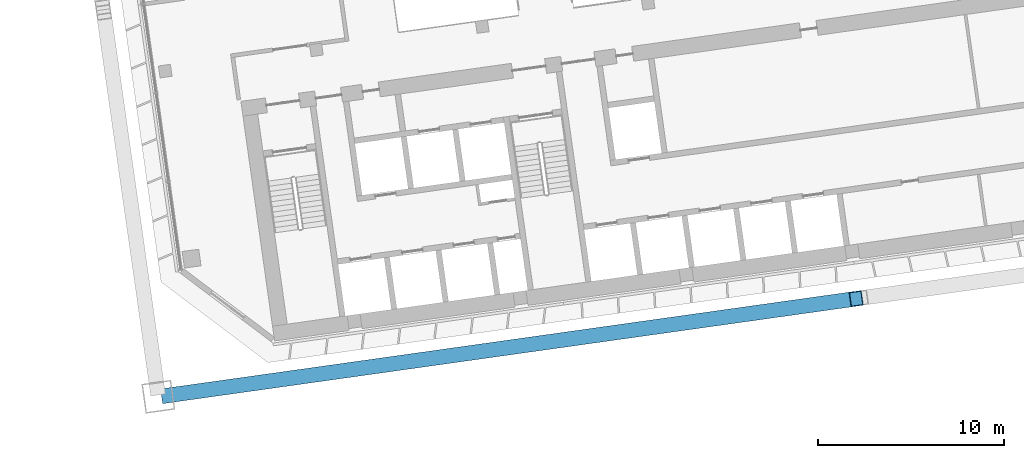
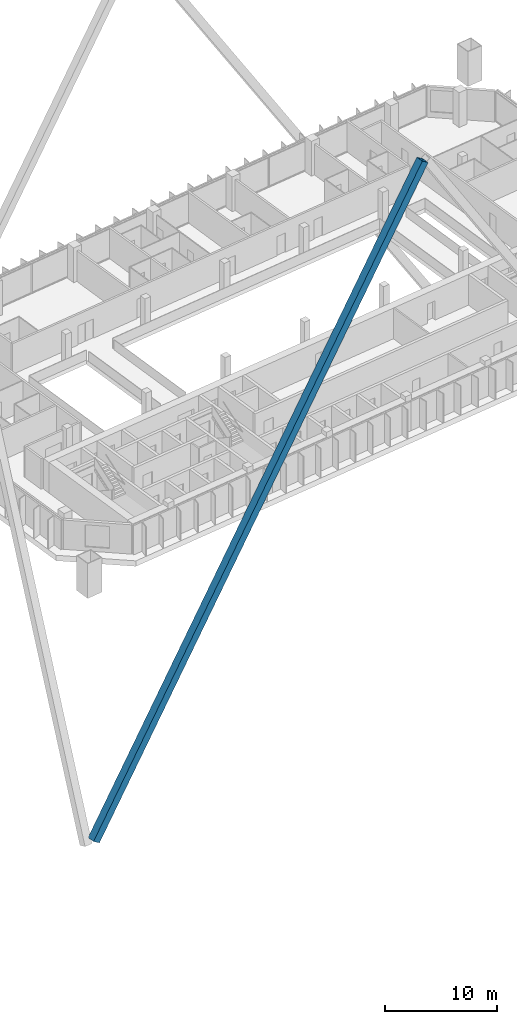
# One storey, part 18 of 41: 1 member.
"""IFC4 building model written with IfcOpenShell, lengths in metres."""

import ifcopenshell
import ifcopenshell.guid

model = None  # the IFC model being written
_history = None  # IfcOwnerHistory: only IFC2X3 demands one
_inside = {}  # id of a spatial element -> (the spatial element, [elements in it])
_under = {}  # id of a project, library or spatial element -> (it, [spatial elements below it])
_declared = {}  # id of a project -> (the project, [libraries it declares])
_typed = {}  # id of a type object -> (the type object, [elements of that type])
_made_of = {}  # id of a material, layer set ... -> (it, [elements and type objects made of it])


def new_model(schema):
    """Start an empty IFC model of exactly this schema.

    Asked for "IFC4X3", IfcOpenShell would pick the latest addendum, in which some entities
    have other attributes; the version numbers below select the first issue.
    IFC2X3 requires an IfcOwnerHistory on every rooted entity: one is made here for all.
    """
    global model, _history
    if schema == "IFC4X3":
        model = ifcopenshell.file(schema_version=(4, 3, 0, 0))
    else:
        model = ifcopenshell.file(schema=schema)
    _inside.clear()
    _under.clear()
    _declared.clear()
    _typed.clear()
    _made_of.clear()
    _history = None
    if model.schema == "IFC2X3":
        org = make("IfcOrganization", Name="unknown")
        user = make(
            "IfcPersonAndOrganization",
            ThePerson=make("IfcPerson", FamilyName="unknown"),
            TheOrganization=org,
        )
        app = make(
            "IfcApplication",
            ApplicationDeveloper=org,
            Version="unknown",
            ApplicationFullName="unknown",
            ApplicationIdentifier="unknown",
        )
        _history = make(
            "IfcOwnerHistory",
            OwningUser=user,
            OwningApplication=app,
            ChangeAction="ADDED",
            CreationDate=0,
        )
    return model


def make(cls, **values):
    """One entity of the class cls with the attributes given. An attribute that is None is left unset."""
    return model.create_entity(
        cls, **{name: value for name, value in values.items() if value is not None}
    )


def rooted(cls, **values):
    """An entity with a GlobalId (a new one), such as an element, a storey or a relation."""
    return make(cls, GlobalId=ifcopenshell.guid.new(), OwnerHistory=_history, **values)


def si_unit(unit_type, name, prefix=None):
    """IfcSIUnit, for example si_unit("LENGTHUNIT", "METRE", prefix="MILLI")."""
    return make("IfcSIUnit", UnitType=unit_type, Prefix=prefix, Name=name)


def assignment(units):
    """IfcUnitAssignment: the units of a project."""
    return None if units is None else make("IfcUnitAssignment", Units=units)


def point(xyz):
    """IfcCartesianPoint."""
    return None if xyz is None else make("IfcCartesianPoint", Coordinates=xyz)


def direction(xyz):
    """IfcDirection."""
    return None if xyz is None else make("IfcDirection", DirectionRatios=xyz)


def frame(location, z_axis=None, x_axis=None):
    """IfcAxis2Placement3D, a coordinate frame: its origin and axes. An axis left out is left unset."""
    return make(
        "IfcAxis2Placement3D",
        Location=point(location),
        Axis=direction(z_axis),
        RefDirection=direction(x_axis),
    )


def frame_2d(location, x_axis=None):
    """IfcAxis2Placement2D, a coordinate frame in the plane: its origin and x axis."""
    return make(
        "IfcAxis2Placement2D", Location=point(location), RefDirection=direction(x_axis)
    )


def origin():
    """The frame at (0, 0, 0) with its axes left unset."""
    return frame((0.0, 0.0, 0.0))


def origin_2d():
    """The frame at (0, 0) in the plane with its x axis left unset."""
    return frame_2d((0.0, 0.0))


def place(relative_to, where):
    """IfcLocalPlacement: puts the frame where relative to a parent placement (None: the world)."""
    return make(
        "IfcLocalPlacement", PlacementRelTo=relative_to, RelativePlacement=where
    )


def context(
    kind, dimensions, precision=None, world=None, true_north=None, identifier=None
):
    """IfcGeometricRepresentationContext, for example the 3D "Model" context."""
    return make(
        "IfcGeometricRepresentationContext",
        ContextIdentifier=identifier,
        ContextType=kind,
        CoordinateSpaceDimension=dimensions,
        Precision=precision,
        WorldCoordinateSystem=world,
        TrueNorth=true_north,
    )


def subcontext(parent, identifier, kind, view, scale=None):
    """IfcGeometricRepresentationSubContext, for example "Body" below "Model"."""
    return make(
        "IfcGeometricRepresentationSubContext",
        ContextIdentifier=identifier,
        ContextType=kind,
        ParentContext=parent,
        TargetScale=scale,
        TargetView=view,
    )


def project(units=None, contexts=None):
    """IfcProject with its units and contexts."""
    return rooted(
        "IfcProject",
        Name="project",
        RepresentationContexts=contexts,
        UnitsInContext=assignment(units),
    )


def spatial(cls, under=None, at=None, **own):
    """A site, building, storey or space (cls), placed at a placement, below another one or the project."""
    s = rooted(cls, ObjectPlacement=at, **own)
    if under is not None:
        _under.setdefault(under.id(), (under, []))[1].append(s)
    return s


def profile(cls, at=None, kind="AREA", **sizes):
    """A parametric profile (cls). Its sizes go by their IFC names, for example OverallWidth=200.0."""
    return make(cls, ProfileType=kind, Position=at, **sizes)


def hollow_rectangle(**sizes):
    """IfcRectangleHollowProfileDef."""
    return profile("IfcRectangleHollowProfileDef", **sizes)


def extrude(swept, where, along, depth):
    """IfcExtrudedAreaSolid: the profile swept, set in the frame where, extruded along a direction by depth."""
    return make(
        "IfcExtrudedAreaSolid",
        SweptArea=swept,
        Position=where,
        ExtrudedDirection=direction(along),
        Depth=depth,
    )


def shape(context_of_items, identifier, shape_type, items):
    """IfcShapeRepresentation: the items that make up one representation, for example the "Body"."""
    return make(
        "IfcShapeRepresentation",
        ContextOfItems=context_of_items,
        RepresentationIdentifier=identifier,
        RepresentationType=shape_type,
        Items=items,
    )


def material(Name=None, Category=None):
    """IfcMaterial."""
    return make("IfcMaterial", Name=Name, Category=Category)


def material_profile(
    of_material, cross_section, Name=None, Category=None, Priority=None
):
    """IfcMaterialProfile: a cross section and its material."""
    return make(
        "IfcMaterialProfile",
        Name=Name,
        Material=of_material,
        Profile=cross_section,
        Priority=Priority,
        Category=Category,
    )


def profile_set(profiles, Name=None, composite=None):
    """IfcMaterialProfileSet."""
    return make(
        "IfcMaterialProfileSet",
        Name=Name,
        MaterialProfiles=profiles,
        CompositeProfile=composite,
    )


def made_of(thing, what):
    """Note that an element or type object is made of a material, layer set ...; save() writes the relation."""
    if what is not None:
        _made_of.setdefault(what.id(), (what, []))[1].append(thing)
    return thing


def type_object(cls, material=None, **own):
    """A type object (cls), such as IfcWallType, which elements share."""
    return made_of(rooted(cls, **own), material)


def element(
    cls,
    number,
    at=None,
    inside=None,
    cuts=None,
    type_object=None,
    material=None,
    context=None,
    identifier="Body",
    shape_type=None,
    held_by="IfcProductDefinitionShape",
    body=None,
    shapes=None,
    **own,
):
    """One element of the class cls, such as IfcWall. Its Tag is "e" and its number.

    at: its placement. inside: the storey or other place that contains it. cuts: it is an
    opening in that element (IfcRelVoidsElement). A single representation is given by context,
    identifier, shape_type and body (its items); several are given by shapes. held_by: the class
    of the entity that holds the representations. save() writes the other relations.
    """
    e = rooted(cls, Tag="e%d" % number, ObjectPlacement=at, **own)
    if body is not None:
        shapes = [shape(context, identifier, shape_type, body)]
    if shapes is not None:
        e.Representation = make(held_by, Representations=shapes)
    if inside is not None:
        _inside.setdefault(inside.id(), (inside, []))[1].append(e)
    if cuts is not None:
        rooted(
            "IfcRelVoidsElement", RelatingBuildingElement=cuts, RelatedOpeningElement=e
        )
    if type_object is not None:
        _typed.setdefault(type_object.id(), (type_object, []))[1].append(e)
    return made_of(e, material)


def aggregate(whole, parts):
    """IfcRelAggregates: a whole, such as a stair, and the parts it consists of."""
    return rooted("IfcRelAggregates", RelatingObject=whole, RelatedObjects=parts)


def save(model, path):
    """Write the relations noted so far, then the file.

    IfcRelAggregates (storeys below a building ...), IfcRelContainedInSpatialStructure (elements
    in a storey), IfcRelDefinesByType, IfcRelAssociatesMaterial and IfcRelDeclares: one each for
    every whole, place, type object, material and project.
    """
    for whole, parts in _under.values():
        aggregate(whole, parts)
    for where, things in _inside.values():
        rooted(
            "IfcRelContainedInSpatialStructure",
            RelatedElements=things,
            RelatingStructure=where,
        )
    for kind, things in _typed.values():
        rooted("IfcRelDefinesByType", RelatedObjects=things, RelatingType=kind)
    for what, things in _made_of.values():
        rooted("IfcRelAssociatesMaterial", RelatedObjects=things, RelatingMaterial=what)
    for by, libraries in _declared.values():
        rooted("IfcRelDeclares", RelatingContext=by, RelatedDefinitions=libraries)
    model.write(path)


model = new_model("IFC4")

# Units and contexts
model_context = context("Model", 3, precision=1e-05, world=origin(), true_north=direction((0.0, 1.0)))
body_context = subcontext(model_context, "Body", "Model", "MODEL_VIEW")
ifc_project = project(units=[si_unit("LENGTHUNIT", "METRE"), si_unit("AREAUNIT", "SQUARE_METRE"), si_unit("VOLUMEUNIT", "CUBIC_METRE"), si_unit("PLANEANGLEUNIT", "RADIAN"), si_unit("MASSUNIT", "GRAM", prefix="KILO")], contexts=[model_context])

# Site, building, storey
site_placement = place(None, origin())
site = spatial("IfcSite", under=ifc_project, at=site_placement, CompositionType="ELEMENT")
building_placement = place(site_placement, origin())
building = spatial("IfcBuilding", under=site, at=building_placement, Name="Mirante Cascada Hotel Towers", CompositionType="ELEMENT")
storey_placement = place(building_placement, frame((0.0, 0.0, 125.3)))
storey = spatial("IfcBuildingStorey", under=building, at=storey_placement, Name="L28", CompositionType="ELEMENT", Elevation=125.3)

# Member
ifc_material = material(Name="Steel ASTM A572 Gr 50", Category="steel")
ifc_material_profile = material_profile(ifc_material, hollow_rectangle(XDim=0.8, YDim=0.8, WallThickness=0.04, at=origin_2d()), Name="Box brace 800x800x40 ASTM A572 Gr 50")
ifc_profile_set = profile_set([ifc_material_profile], Name="Steel ASTM A572 Gr 50")
member_type = type_object("IfcMemberType", Name="Box brace 800x800x40 ASTM A572 Gr 50", PredefinedType="BRACE", material=ifc_profile_set)
member_placement = place(storey_placement, frame((31.4504, -23.0025, -27.4172), z_axis=(0.5344758, 0.075115, 0.8418393), x_axis=(-0.1391718, 0.9902683, 0.0)))
element("IfcMember", 1, at=member_placement, inside=storey, type_object=member_type, Name="brace T2 L28 3", PredefinedType="BRACE", context=body_context, shape_type="SweptSolid", body=[
    extrude(hollow_rectangle(XDim=0.8, YDim=0.8, WallThickness=0.04, at=origin_2d()), origin(), (0.0, 0.0, 1.0), 69.1953),
])

save(model, "model.ifc")
